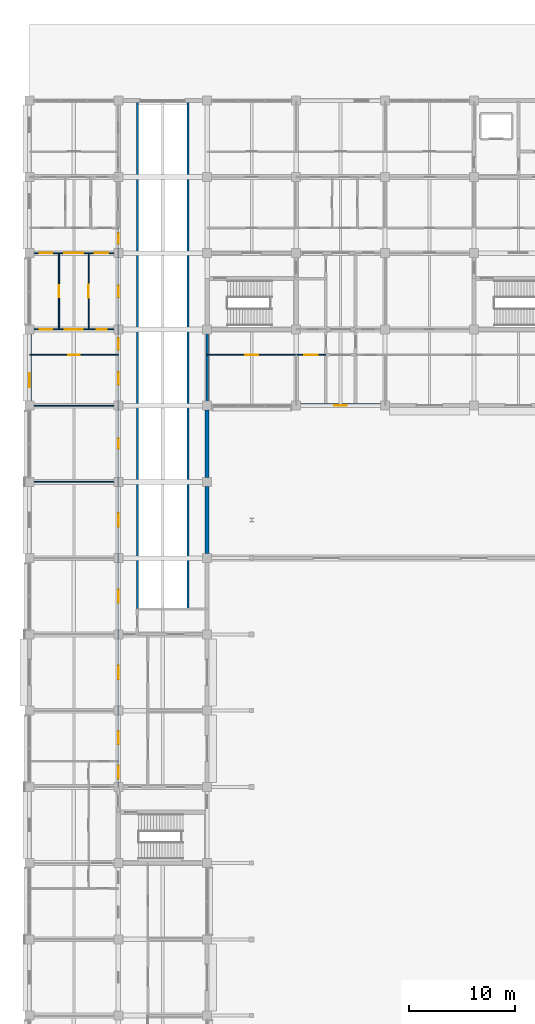
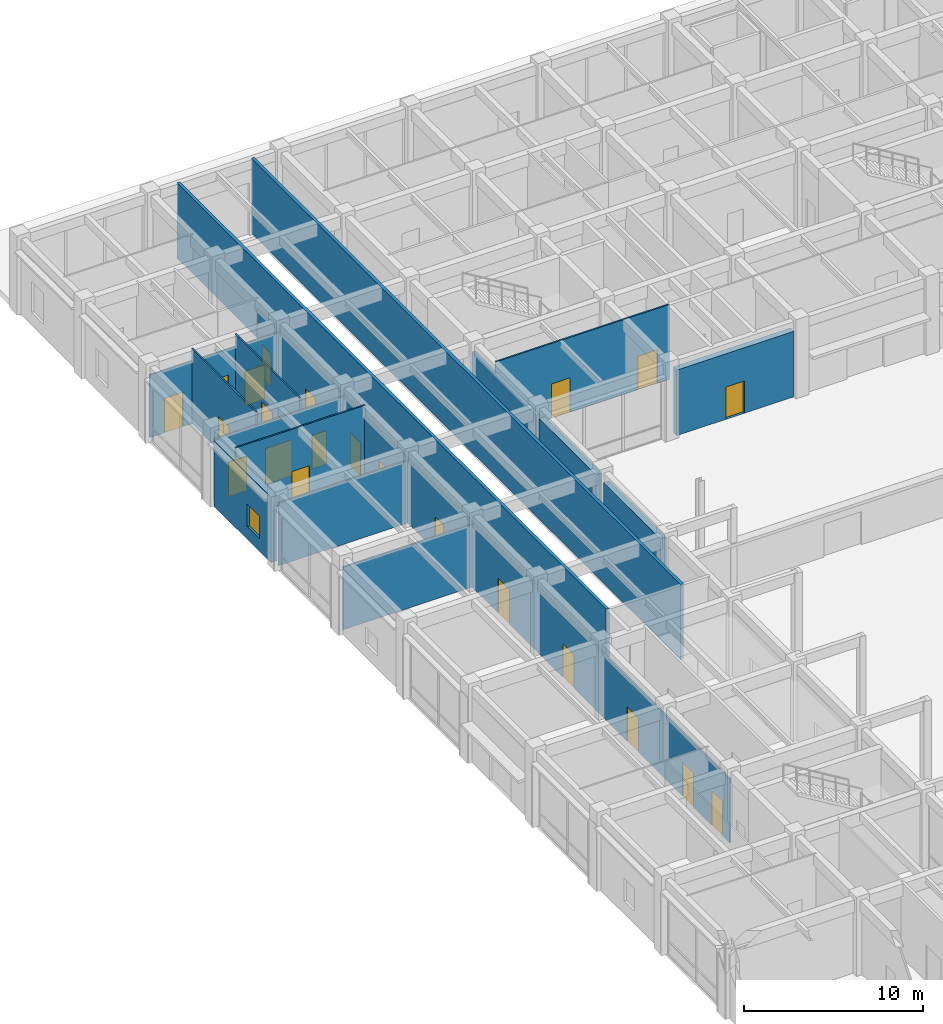
# One storey, part 40 of 73: 22 doors, 16 walls, 1 window, 23 openings.
"""IFC4 building model written with IfcOpenShell, lengths in metres."""

from ifc_helpers import new_model, si_unit, direction, frame, frame_2d, origin, place, context, subcontext, project, spatial, rectangle, extrude, material, layer, layer_set, type_object, element, fill, save


model = new_model("IFC4")

# Units and contexts
model_context = context("Model", 3, precision=1e-05, world=origin(), true_north=direction((0.0, 1.0)))
body_context = subcontext(model_context, "Body", "Model", "MODEL_VIEW")
ifc_project = project(units=[si_unit("LENGTHUNIT", "METRE"), si_unit("AREAUNIT", "SQUARE_METRE"), si_unit("VOLUMEUNIT", "CUBIC_METRE"), si_unit("PLANEANGLEUNIT", "RADIAN"), si_unit("MASSUNIT", "GRAM", prefix="KILO")], contexts=[model_context])

# Site, building, storey
site_placement = place(None, origin())
site = spatial("IfcSite", under=ifc_project, at=site_placement, CompositionType="ELEMENT")
building_placement = place(site_placement, origin())
building = spatial("IfcBuilding", under=site, at=building_placement, Name="Chengyuan Square Courthouse", CompositionType="ELEMENT")
storey_placement = place(building_placement, origin())
storey = spatial("IfcBuildingStorey", under=building, at=storey_placement, Name="L01", CompositionType="ELEMENT", Elevation=0.0)

# Wall, opening, window
ifc_material_1 = material(Name="Concrete C40", Category="concrete")
ifc_layer_1 = layer(ifc_material_1, 0.3798828125)
ifc_layer_set_1 = layer_set([ifc_layer_1], Name="Concrete C40")
wall_type_1 = type_object("IfcWallType", Name="WL-EW1", PredefinedType="STANDARD", material=ifc_layer_set_1)
wall_1_placement = place(storey_placement, frame((0.0, 79.6201171875, 0.0), z_axis=(0.0, 0.0, 1.0), x_axis=(0.0, 1.0, 0.0)))
wall_1 = element("IfcWall", 1, at=wall_1_placement, inside=storey, type_object=wall_type_1, Name="Exterior Wall WL-L01-E150", PredefinedType="STANDARD", context=body_context, shape_type="SweptSolid", body=[
    extrude(rectangle(XDim=6.35986328125, YDim=0.3798828125, at=frame_2d((3.179931640625, 0.0))), origin(), (0.0, 0.0, 1.0), 4.469970703125),
])
opening_1_placement = place(wall_1_placement, frame((1.304931640625, 0.0, 0.85009765625)))
opening_1 = element("IfcOpeningElement", 2, at=opening_1_placement, cuts=wall_1, Name="Opening WN-004", PredefinedType="OPENING", context=body_context, shape_type="SweptSolid", body=[
    extrude(rectangle(XDim=1.35009765625, YDim=1.56005859375, at=frame_2d((0.675048828125, 0.780029296875))), frame((0.0, 0.201904296875, 0.0), z_axis=(0.0, -1.0, 0.0), x_axis=(1.0, 0.0, 0.0)), (0.0, 0.0, 1.0), 0.40380859375),
])
ifc_material_2 = material(Name="Thermally Broken Aluminium Triple Low-E Window", Category="aluminium")
window_type = type_object("IfcWindowType", Name="WT-21", PartitioningType="SINGLE_PANEL", PredefinedType="WINDOW", material=ifc_material_2)
window_placement = place(opening_1_placement, origin())
window = element("IfcWindow", 3, at=window_placement, inside=storey, type_object=window_type, Name="Facade Window WN-004", OverallHeight=1.56005859375, OverallWidth=1.35009765625, PartitioningType="SINGLE_PANEL", PredefinedType="WINDOW", context=body_context, shape_type="SweptSolid", body=[
    extrude(rectangle(XDim=1.35009765625, YDim=1.56005859375, at=frame_2d((0.675048828125, 0.780029296875))), frame((0.0, 0.030029296875, 0.0), z_axis=(0.0, -1.0, 0.0), x_axis=(1.0, 0.0, 0.0)), (0.0, 0.0, 1.0), 0.06005859375),
])
fill(opening_1, window)

# Walls
for number, where, z_axis, x_axis, name in (
    (4, (16.800048828125, 65.219970703125, 0.0), (0.0, 0.0, 1.0), (0.0, 1.0, 0.0), "Exterior Wall WL-L01-E159"),
    (5, (16.800048828125, 72.419921875, 0.0), (0.0, 0.0, 1.0), (0.0, 1.0, 0.0), "Exterior Wall WL-L01-E160"),
):
    element("IfcWall", number, at=place(storey_placement, frame(where, z_axis=z_axis, x_axis=x_axis)), inside=storey, type_object=wall_type_1, Name=name, PredefinedType="STANDARD", context=body_context, shape_type="SweptSolid", body=[
        extrude(rectangle(XDim=6.360107421875, YDim=0.3798828125, at=frame_2d((3.18017578125, 0.0))), origin(), (0.0, 0.0, 1.0), 4.469970703125),
    ])

# Wall, opening, door
wall_2_placement = place(storey_placement, frame((25.6201171875, 79.199951171875, 0.0), z_axis=(0.0, 0.0, 1.0), x_axis=(1.0, 0.0, 0.0)))
wall_2 = element("IfcWall", 6, at=wall_2_placement, inside=storey, type_object=wall_type_1, Name="Exterior Wall WL-L01-E162", PredefinedType="STANDARD", context=body_context, shape_type="SweptSolid", body=[
    extrude(rectangle(XDim=7.559814453125, YDim=0.3798828125, at=frame_2d((3.77978515625, 0.0))), origin(), (0.0, 0.0, 1.0), 4.469970703125),
])
opening_2_placement = place(wall_2_placement, frame((3.179931640625, 0.0, 0.0)))
opening_2 = element("IfcOpeningElement", 7, at=opening_2_placement, cuts=wall_2, Name="Opening E-25", PredefinedType="OPENING", context=body_context, shape_type="SweptSolid", body=[
    extrude(rectangle(XDim=1.199951171875, YDim=2.199951171875, at=frame_2d((0.60009765625, 1.10009765625))), frame((0.0, 0.201904296875, 0.0), z_axis=(0.0, -1.0, 0.0), x_axis=(1.0, 0.0, 0.0)), (0.0, 0.0, 1.0), 0.40380859375),
])
ifc_material_3 = material(Name="Steel Q235B Fire Exit Door", Category="steel")
door_type_1 = type_object("IfcDoorType", Name="DT-03", OperationType="NOTDEFINED", PredefinedType="DOOR", material=ifc_material_3)
door_1_placement = place(opening_2_placement, frame((1.199951171875, 0.0, 0.0), z_axis=(0.0, 0.0, 1.0), x_axis=(-1.0, 0.0, 0.0)))
door_1 = element("IfcDoor", 8, at=door_1_placement, inside=storey, type_object=door_type_1, Name="Protected Stair Exit Discharge Door E-25", OperationType="SINGLE_SWING_RIGHT", OverallHeight=2.199951171875, OverallWidth=1.199951171875, PredefinedType="DOOR", context=body_context, shape_type="SweptSolid", body=[
    extrude(rectangle(XDim=1.199951171875, YDim=2.199951171875, at=frame_2d((0.60009765625, 1.10009765625))), frame((0.0, 0.02490234375, 0.0), z_axis=(0.0, -1.0, 0.0), x_axis=(1.0, 0.0, 0.0)), (0.0, 0.0, 1.0), 0.050048828125),
])
fill(opening_2, door_1)

# Walls
ifc_material_4 = material(Name="Gypsum Plasterboard Acoustic Stud Partition")
ifc_layer_2 = layer(ifc_material_4, 0.10009765625)
ifc_layer_set_2 = layer_set([ifc_layer_2], Name="Gypsum Plasterboard Acoustic Stud Partition")
wall_type_2 = type_object("IfcWallType", Name="WL-PT6", PredefinedType="STANDARD", material=ifc_layer_set_2)
for number, where, z_axis, x_axis, name in (
    (9, (0.0400390625, 72.0, 0.0), (0.0, 0.0, 1.0), (1.0, 0.0, 0.0), "Interior Wall WL-L01-I664"),
    (10, (0.0400390625, 79.199951171875, 0.0), (0.0, 0.0, 1.0), (1.0, 0.0, 0.0), "Interior Wall WL-L01-I667"),
):
    element("IfcWall", number, at=place(storey_placement, frame(where, z_axis=z_axis, x_axis=x_axis)), inside=storey, type_object=wall_type_2, Name=name, PredefinedType="STANDARD", context=body_context, shape_type="SweptSolid", body=[
        extrude(rectangle(XDim=8.35986328125, YDim=0.10009765625, at=frame_2d((4.179931640625, 0.0))), origin(), (0.0, 0.0, 1.0), 4.27001953125),
    ])

# Wall, opening, door
wall_3_placement = place(storey_placement, frame((0.0400390625, 84.0, 0.0), z_axis=(0.0, 0.0, 1.0), x_axis=(1.0, 0.0, 0.0)))
wall_3 = element("IfcWall", 11, at=wall_3_placement, inside=storey, type_object=wall_type_2, Name="Interior Wall WL-L01-I670", PredefinedType="STANDARD", context=body_context, shape_type="SweptSolid", body=[
    extrude(rectangle(XDim=8.35986328125, YDim=0.10009765625, at=frame_2d((4.179931640625, 0.0))), origin(), (0.0, 0.0, 1.0), 5.1201171875),
])
opening_3_placement = place(wall_3_placement, frame((3.6201171875, 0.0, 0.0)))
opening_3 = element("IfcOpeningElement", 12, at=opening_3_placement, cuts=wall_3, Name="Opening DR-907", PredefinedType="OPENING", context=body_context, shape_type="SweptSolid", body=[
    extrude(rectangle(XDim=1.1201171875, YDim=2.25, at=frame_2d((0.56005859375, 1.125))), frame((0.0, 0.06201171875, 0.0), z_axis=(0.0, -1.0, 0.0), x_axis=(1.0, 0.0, 0.0)), (0.0, 0.0, 1.0), 0.1240234375),
])
ifc_material_5 = material(Name="Acoustic Solid-Core Timber Door", Category="wood")
door_type_2 = type_object("IfcDoorType", Name="DT-34", OperationType="NOTDEFINED", PredefinedType="DOOR", material=ifc_material_5)
door_2_placement = place(opening_3_placement, origin())
door_2 = element("IfcDoor", 13, at=door_2_placement, inside=storey, type_object=door_type_2, Name="Interior Door DR-907", OperationType="SINGLE_SWING_RIGHT", OverallHeight=2.25, OverallWidth=1.1201171875, PredefinedType="DOOR", context=body_context, shape_type="SweptSolid", body=[
    extrude(rectangle(XDim=1.1201171875, YDim=2.25, at=frame_2d((0.56005859375, 1.125))), frame((0.0, 0.02490234375, 0.0), z_axis=(0.0, -1.0, 0.0), x_axis=(1.0, 0.0, 0.0)), (0.0, 0.0, 1.0), 0.050048828125),
])
fill(opening_3, door_2)

# Wall, openings, doors
wall_4_placement = place(storey_placement, frame((16.800048828125, 84.0, 0.0), z_axis=(0.0, 0.0, 1.0), x_axis=(1.0, 0.0, 0.0)))
wall_4 = element("IfcWall", 14, at=wall_4_placement, inside=storey, type_object=wall_type_2, Name="Interior Wall WL-L01-I671", PredefinedType="STANDARD", context=body_context, shape_type="SweptSolid", body=[
    extrude(rectangle(XDim=11.199951171875, YDim=0.10009765625, at=frame_2d((5.60009765625, 0.0))), origin(), (0.0, 0.0, 1.0), 5.1201171875),
])
opening_4_placement = place(wall_4_placement, frame((3.60009765625, 0.0, 0.0)))
opening_4 = element("IfcOpeningElement", 15, at=opening_4_placement, cuts=wall_4, Name="Opening DR-909", PredefinedType="OPENING", context=body_context, shape_type="SweptSolid", body=[
    extrude(rectangle(XDim=1.199951171875, YDim=2.35009765625, at=frame_2d((0.60009765625, 1.175048828125))), frame((0.0, 0.06201171875, 0.0), z_axis=(0.0, -1.0, 0.0), x_axis=(1.0, 0.0, 0.0)), (0.0, 0.0, 1.0), 0.1240234375),
])
opening_5_placement = place(wall_4_placement, frame((9.179931640625, 0.0, 0.0)))
opening_5 = element("IfcOpeningElement", 16, at=opening_5_placement, cuts=wall_4, Name="Opening DR-910", PredefinedType="OPENING", context=body_context, shape_type="SweptSolid", body=[
    extrude(rectangle(XDim=1.239990234375, YDim=2.300048828125, at=frame_2d((0.6201171875, 1.14990234375))), frame((0.0, 0.06201171875, 0.0), z_axis=(0.0, -1.0, 0.0), x_axis=(1.0, 0.0, 0.0)), (0.0, 0.0, 1.0), 0.1240234375),
])
door_type_3 = type_object("IfcDoorType", Name="DT-36", OperationType="NOTDEFINED", PredefinedType="DOOR", material=ifc_material_5)
door_3_placement = place(opening_4_placement, origin())
door_3 = element("IfcDoor", 17, at=door_3_placement, inside=storey, type_object=door_type_3, Name="Interior Door DR-909", OperationType="SINGLE_SWING_RIGHT", OverallHeight=2.35009765625, OverallWidth=1.199951171875, PredefinedType="DOOR", context=body_context, shape_type="SweptSolid", body=[
    extrude(rectangle(XDim=1.199951171875, YDim=2.35009765625, at=frame_2d((0.60009765625, 1.175048828125))), frame((0.0, 0.02490234375, 0.0), z_axis=(0.0, -1.0, 0.0), x_axis=(1.0, 0.0, 0.0)), (0.0, 0.0, 1.0), 0.050048828125),
])
fill(opening_4, door_3)
door_type_4 = type_object("IfcDoorType", Name="DT-37", OperationType="NOTDEFINED", PredefinedType="DOOR", material=ifc_material_5)
door_4_placement = place(opening_5_placement, origin())
door_4 = element("IfcDoor", 18, at=door_4_placement, inside=storey, type_object=door_type_4, Name="Interior Door DR-910", OperationType="SINGLE_SWING_LEFT", OverallHeight=2.300048828125, OverallWidth=1.239990234375, PredefinedType="DOOR", context=body_context, shape_type="SweptSolid", body=[
    extrude(rectangle(XDim=1.239990234375, YDim=2.300048828125, at=frame_2d((0.6201171875, 1.14990234375))), frame((0.0, 0.02490234375, 0.0), z_axis=(0.0, -1.0, 0.0), x_axis=(1.0, 0.0, 0.0)), (0.0, 0.0, 1.0), 0.050048828125),
])
fill(opening_5, door_4)

wall_5_placement = place(storey_placement, frame((0.0400390625, 86.39990234375, 0.0), z_axis=(0.0, 0.0, 1.0), x_axis=(1.0, 0.0, 0.0)))
wall_5 = element("IfcWall", 19, at=wall_5_placement, inside=storey, type_object=wall_type_2, Name="Interior Wall WL-L01-I680", PredefinedType="STANDARD", context=body_context, shape_type="SweptSolid", body=[
    extrude(rectangle(XDim=8.35986328125, YDim=0.10009765625, at=frame_2d((4.179931640625, 0.0))), origin(), (0.0, 0.0, 1.0), 4.27001953125),
])
opening_6_placement = place(wall_5_placement, frame((0.9326171875, 0.0, 0.0)))
opening_6 = element("IfcOpeningElement", 20, at=opening_6_placement, cuts=wall_5, Name="Opening DR-858", PredefinedType="OPENING", context=body_context, shape_type="SweptSolid", body=[
    extrude(rectangle(XDim=1.199951171875, YDim=2.35009765625, at=frame_2d((0.60009765625, 1.175048828125))), frame((0.0, 0.06201171875, 0.0), z_axis=(0.0, -1.0, 0.0), x_axis=(1.0, 0.0, 0.0)), (0.0, 0.0, 1.0), 0.1240234375),
])
opening_7_placement = place(wall_5_placement, frame((3.31005859375, 0.0, 0.0)))
opening_7 = element("IfcOpeningElement", 21, at=opening_7_placement, cuts=wall_5, Name="Opening DR-860", PredefinedType="OPENING", context=body_context, shape_type="SweptSolid", body=[
    extrude(rectangle(XDim=1.699951171875, YDim=2.449951171875, at=frame_2d((0.85009765625, 1.22509765625))), frame((0.0, 0.06201171875, 0.0), z_axis=(0.0, -1.0, 0.0), x_axis=(1.0, 0.0, 0.0)), (0.0, 0.0, 1.0), 0.1240234375),
])
opening_8_placement = place(wall_5_placement, frame((6.3173828125, 0.0, 0.0)))
opening_8 = element("IfcOpeningElement", 22, at=opening_8_placement, cuts=wall_5, Name="Opening DR-861", PredefinedType="OPENING", context=body_context, shape_type="SweptSolid", body=[
    extrude(rectangle(XDim=0.93994140625, YDim=2.300048828125, at=frame_2d((0.469970703125, 1.14990234375))), frame((0.0, 0.06201171875, 0.0), z_axis=(0.0, -1.0, 0.0), x_axis=(1.0, 0.0, 0.0)), (0.0, 0.0, 1.0), 0.1240234375),
])
ifc_material_6 = material(Name="Acoustic Larch Veneer Double Door")
door_type_5 = type_object("IfcDoorType", Name="DT-24", OperationType="DOUBLE_DOOR_SINGLE_SWING", PredefinedType="DOOR", material=ifc_material_6)
door_5_placement = place(opening_7_placement, frame((1.699951171875, 0.0, 0.0), z_axis=(0.0, 0.0, 1.0), x_axis=(-1.0, 0.0, 0.0)))
door_5 = element("IfcDoor", 23, at=door_5_placement, inside=storey, type_object=door_type_5, Name="Interior Door DR-860", OperationType="DOUBLE_DOOR_SINGLE_SWING", OverallHeight=2.449951171875, OverallWidth=1.699951171875, PredefinedType="DOOR", context=body_context, shape_type="SweptSolid", body=[
    extrude(rectangle(XDim=1.699951171875, YDim=2.449951171875, at=frame_2d((0.85009765625, 1.22509765625))), frame((0.0, 0.02490234375, 0.0), z_axis=(0.0, -1.0, 0.0), x_axis=(1.0, 0.0, 0.0)), (0.0, 0.0, 1.0), 0.050048828125),
])
fill(opening_7, door_5)
door_6_placement = place(opening_6_placement, origin())
door_6 = element("IfcDoor", 24, at=door_6_placement, inside=storey, type_object=door_type_3, Name="Interior Door DR-858", OperationType="SINGLE_SWING_LEFT", OverallHeight=2.35009765625, OverallWidth=1.199951171875, PredefinedType="DOOR", context=body_context, shape_type="SweptSolid", body=[
    extrude(rectangle(XDim=1.199951171875, YDim=2.35009765625, at=frame_2d((0.60009765625, 1.175048828125))), frame((0.0, 0.02490234375, 0.0), z_axis=(0.0, -1.0, 0.0), x_axis=(1.0, 0.0, 0.0)), (0.0, 0.0, 1.0), 0.050048828125),
])
fill(opening_6, door_6)
door_type_6 = type_object("IfcDoorType", Name="DT-39", OperationType="NOTDEFINED", PredefinedType="DOOR", material=ifc_material_5)
door_7_placement = place(opening_8_placement, origin())
door_7 = element("IfcDoor", 25, at=door_7_placement, inside=storey, type_object=door_type_6, Name="Interior Door DR-861", OperationType="SINGLE_SWING_LEFT", OverallHeight=2.300048828125, OverallWidth=0.93994140625, PredefinedType="DOOR", context=body_context, shape_type="SweptSolid", body=[
    extrude(rectangle(XDim=0.93994140625, YDim=2.300048828125, at=frame_2d((0.469970703125, 1.14990234375))), frame((0.0, 0.02490234375, 0.0), z_axis=(0.0, -1.0, 0.0), x_axis=(1.0, 0.0, 0.0)), (0.0, 0.0, 1.0), 0.050048828125),
])
fill(opening_8, door_7)

wall_6_placement = place(storey_placement, frame((0.0400390625, 93.60009765625, 0.0), z_axis=(0.0, 0.0, 1.0), x_axis=(1.0, 0.0, 0.0)))
wall_6 = element("IfcWall", 26, at=wall_6_placement, inside=storey, type_object=wall_type_2, Name="Interior Wall WL-L01-I725", PredefinedType="STANDARD", context=body_context, shape_type="SweptSolid", body=[
    extrude(rectangle(XDim=8.35986328125, YDim=0.10009765625, at=frame_2d((4.179931640625, 0.0))), origin(), (0.0, 0.0, 1.0), 4.27001953125),
])
opening_9_placement = place(wall_6_placement, frame((0.9326171875, 0.0, 0.0)))
opening_9 = element("IfcOpeningElement", 27, at=opening_9_placement, cuts=wall_6, Name="Opening DR-790", PredefinedType="OPENING", context=body_context, shape_type="SweptSolid", body=[
    extrude(rectangle(XDim=1.199951171875, YDim=2.35009765625, at=frame_2d((0.60009765625, 1.175048828125))), frame((0.0, 0.06201171875, 0.0), z_axis=(0.0, -1.0, 0.0), x_axis=(1.0, 0.0, 0.0)), (0.0, 0.0, 1.0), 0.1240234375),
])
opening_10_placement = place(wall_6_placement, frame((3.260009765625, 0.0, 0.0)))
opening_10 = element("IfcOpeningElement", 28, at=opening_10_placement, cuts=wall_6, Name="Opening DR-791", PredefinedType="OPENING", context=body_context, shape_type="SweptSolid", body=[
    extrude(rectangle(XDim=1.800048828125, YDim=2.5, at=frame_2d((0.89990234375, 1.25))), frame((0.0, 0.06201171875, 0.0), z_axis=(0.0, -1.0, 0.0), x_axis=(1.0, 0.0, 0.0)), (0.0, 0.0, 1.0), 0.1240234375),
])
opening_11_placement = place(wall_6_placement, frame((6.1474609375, 0.0, 0.0)))
opening_11 = element("IfcOpeningElement", 29, at=opening_11_placement, cuts=wall_6, Name="Opening DR-792", PredefinedType="OPENING", context=body_context, shape_type="SweptSolid", body=[
    extrude(rectangle(XDim=1.280029296875, YDim=2.35009765625, at=frame_2d((0.64013671875, 1.175048828125))), frame((0.0, 0.06201171875, 0.0), z_axis=(0.0, -1.0, 0.0), x_axis=(1.0, 0.0, 0.0)), (0.0, 0.0, 1.0), 0.1240234375),
])
door_type_7 = type_object("IfcDoorType", Name="DT-21", OperationType="DOUBLE_DOOR_SINGLE_SWING", PredefinedType="DOOR", material=ifc_material_6)
door_8_placement = place(opening_10_placement, frame((1.800048828125, 0.0, 0.0), z_axis=(0.0, 0.0, 1.0), x_axis=(-1.0, 0.0, 0.0)))
door_8 = element("IfcDoor", 30, at=door_8_placement, inside=storey, type_object=door_type_7, Name="Interior Door DR-791", OperationType="DOUBLE_DOOR_SINGLE_SWING", OverallHeight=2.5, OverallWidth=1.800048828125, PredefinedType="DOOR", context=body_context, shape_type="SweptSolid", body=[
    extrude(rectangle(XDim=1.800048828125, YDim=2.5, at=frame_2d((0.89990234375, 1.25))), frame((0.0, 0.02490234375, 0.0), z_axis=(0.0, -1.0, 0.0), x_axis=(1.0, 0.0, 0.0)), (0.0, 0.0, 1.0), 0.050048828125),
])
fill(opening_10, door_8)
door_9_placement = place(opening_9_placement, origin())
door_9 = element("IfcDoor", 31, at=door_9_placement, inside=storey, type_object=door_type_3, Name="Interior Door DR-790", OperationType="SINGLE_SWING_LEFT", OverallHeight=2.35009765625, OverallWidth=1.199951171875, PredefinedType="DOOR", context=body_context, shape_type="SweptSolid", body=[
    extrude(rectangle(XDim=1.199951171875, YDim=2.35009765625, at=frame_2d((0.60009765625, 1.175048828125))), frame((0.0, 0.02490234375, 0.0), z_axis=(0.0, -1.0, 0.0), x_axis=(1.0, 0.0, 0.0)), (0.0, 0.0, 1.0), 0.050048828125),
])
fill(opening_9, door_9)
door_type_8 = type_object("IfcDoorType", Name="DT-38", OperationType="NOTDEFINED", PredefinedType="DOOR", material=ifc_material_5)
door_10_placement = place(opening_11_placement, origin())
door_10 = element("IfcDoor", 32, at=door_10_placement, inside=storey, type_object=door_type_8, Name="Interior Door DR-792", OperationType="SINGLE_SWING_RIGHT", OverallHeight=2.35009765625, OverallWidth=1.280029296875, PredefinedType="DOOR", context=body_context, shape_type="SweptSolid", body=[
    extrude(rectangle(XDim=1.280029296875, YDim=2.35009765625, at=frame_2d((0.64013671875, 1.175048828125))), frame((0.0, 0.02490234375, 0.0), z_axis=(0.0, -1.0, 0.0), x_axis=(1.0, 0.0, 0.0)), (0.0, 0.0, 1.0), 0.050048828125),
])
fill(opening_11, door_10)

# Wall, opening, door
wall_7_placement = place(storey_placement, frame((2.800048828125, 86.39990234375, 0.0), z_axis=(0.0, 0.0, 1.0), x_axis=(0.0, 1.0, 0.0)))
wall_7 = element("IfcWall", 33, at=wall_7_placement, inside=storey, type_object=wall_type_2, Name="Interior Wall WL-L01-I820", PredefinedType="STANDARD", context=body_context, shape_type="SweptSolid", body=[
    extrude(rectangle(XDim=7.2001953125, YDim=0.10009765625, at=frame_2d((3.60009765625, 0.0))), origin(), (0.0, 0.0, 1.0), 5.1201171875),
])
opening_12_placement = place(wall_7_placement, frame((3.02001953125, 0.0, 0.0)))
opening_12 = element("IfcOpeningElement", 34, at=opening_12_placement, cuts=wall_7, Name="Opening DR-857", PredefinedType="OPENING", context=body_context, shape_type="SweptSolid", body=[
    extrude(rectangle(XDim=1.159912109375, YDim=2.300048828125, at=frame_2d((0.580078125, 1.14990234375))), frame((0.0, 0.06201171875, 0.0), z_axis=(0.0, -1.0, 0.0), x_axis=(1.0, 0.0, 0.0)), (0.0, 0.0, 1.0), 0.1240234375),
])
door_type_9 = type_object("IfcDoorType", Name="DT-35", OperationType="NOTDEFINED", PredefinedType="DOOR", material=ifc_material_5)
door_11_placement = place(opening_12_placement, origin())
door_11 = element("IfcDoor", 35, at=door_11_placement, inside=storey, type_object=door_type_9, Name="Interior Door DR-857", OperationType="SINGLE_SWING_RIGHT", OverallHeight=2.300048828125, OverallWidth=1.159912109375, PredefinedType="DOOR", context=body_context, shape_type="SweptSolid", body=[
    extrude(rectangle(XDim=1.159912109375, YDim=2.300048828125, at=frame_2d((0.580078125, 1.14990234375))), frame((0.0, 0.02490234375, 0.0), z_axis=(0.0, -1.0, 0.0), x_axis=(1.0, 0.0, 0.0)), (0.0, 0.0, 1.0), 0.050048828125),
])
fill(opening_12, door_11)

wall_8_placement = place(storey_placement, frame((5.60009765625, 86.39990234375, 0.0), z_axis=(0.0, 0.0, 1.0), x_axis=(0.0, 1.0, 0.0)))
wall_8 = element("IfcWall", 36, at=wall_8_placement, inside=storey, type_object=wall_type_2, Name="Interior Wall WL-L01-I823", PredefinedType="STANDARD", context=body_context, shape_type="SweptSolid", body=[
    extrude(rectangle(XDim=7.2001953125, YDim=0.10009765625, at=frame_2d((3.60009765625, 0.0))), origin(), (0.0, 0.0, 1.0), 5.1201171875),
])
opening_13_placement = place(wall_8_placement, frame((2.97998046875, 0.0, 0.0)))
opening_13 = element("IfcOpeningElement", 37, at=opening_13_placement, cuts=wall_8, Name="Opening DR-859", PredefinedType="OPENING", context=body_context, shape_type="SweptSolid", body=[
    extrude(rectangle(XDim=1.239990234375, YDim=2.300048828125, at=frame_2d((0.6201171875, 1.14990234375))), frame((0.0, 0.06201171875, 0.0), z_axis=(0.0, -1.0, 0.0), x_axis=(1.0, 0.0, 0.0)), (0.0, 0.0, 1.0), 0.1240234375),
])
door_12_placement = place(opening_13_placement, origin())
door_12 = element("IfcDoor", 38, at=door_12_placement, inside=storey, type_object=door_type_4, Name="Interior Door DR-859", OperationType="SINGLE_SWING_RIGHT", OverallHeight=2.300048828125, OverallWidth=1.239990234375, PredefinedType="DOOR", context=body_context, shape_type="SweptSolid", body=[
    extrude(rectangle(XDim=1.239990234375, YDim=2.300048828125, at=frame_2d((0.6201171875, 1.14990234375))), frame((0.0, 0.02490234375, 0.0), z_axis=(0.0, -1.0, 0.0), x_axis=(1.0, 0.0, 0.0)), (0.0, 0.0, 1.0), 0.050048828125),
])
fill(opening_13, door_12)

# Wall, openings, doors
wall_9_placement = place(storey_placement, frame((8.39990234375, 43.199951171875, 0.0), z_axis=(0.0, 0.0, 1.0), x_axis=(0.0, 1.0, 0.0)))
wall_9 = element("IfcWall", 39, at=wall_9_placement, inside=storey, type_object=wall_type_2, Name="Interior Wall WL-L01-I828", PredefinedType="STANDARD", context=body_context, shape_type="SweptSolid", body=[
    extrude(rectangle(XDim=52.800048828125, YDim=0.10009765625, at=frame_2d((26.39990234375, 0.0))), origin(), (0.0, 0.0, 1.0), 4.3701171875),
])
opening_14_placement = place(wall_9_placement, frame((51.2724609375, 0.0, 0.0)))
opening_14 = element("IfcOpeningElement", 40, at=opening_14_placement, cuts=wall_9, Name="Opening DR-700", PredefinedType="OPENING", context=body_context, shape_type="SweptSolid", body=[
    extrude(rectangle(XDim=1.0, YDim=2.25, at=frame_2d((0.5, 1.125))), frame((0.0, 0.06201171875, 0.0), z_axis=(0.0, -1.0, 0.0), x_axis=(1.0, 0.0, 0.0)), (0.0, 0.0, 1.0), 0.1240234375),
])
opening_15_placement = place(wall_9_placement, frame((46.260009765625, 0.0, 0.0)))
opening_15 = element("IfcOpeningElement", 41, at=opening_15_placement, cuts=wall_9, Name="Opening DR-702", PredefinedType="OPENING", context=body_context, shape_type="SweptSolid", body=[
    extrude(rectangle(XDim=1.080078125, YDim=2.25, at=frame_2d((0.5400390625, 1.125))), frame((0.0, 0.06201171875, 0.0), z_axis=(0.0, -1.0, 0.0), x_axis=(1.0, 0.0, 0.0)), (0.0, 0.0, 1.0), 0.1240234375),
])
opening_16_placement = place(wall_9_placement, frame((41.267578125, 0.0, 0.0)))
opening_16 = element("IfcOpeningElement", 42, at=opening_16_placement, cuts=wall_9, Name="Opening DR-703", PredefinedType="OPENING", context=body_context, shape_type="SweptSolid", body=[
    extrude(rectangle(XDim=1.1201171875, YDim=2.25, at=frame_2d((0.56005859375, 1.125))), frame((0.0, 0.06201171875, 0.0), z_axis=(0.0, -1.0, 0.0), x_axis=(1.0, 0.0, 0.0)), (0.0, 0.0, 1.0), 0.1240234375),
])
opening_17_placement = place(wall_9_placement, frame((37.992431640625, 0.0, 0.0)))
opening_17 = element("IfcOpeningElement", 43, at=opening_17_placement, cuts=wall_9, Name="Opening DR-704", PredefinedType="OPENING", context=body_context, shape_type="SweptSolid", body=[
    extrude(rectangle(XDim=1.159912109375, YDim=2.300048828125, at=frame_2d((0.580078125, 1.14990234375))), frame((0.0, 0.06201171875, 0.0), z_axis=(0.0, -1.0, 0.0), x_axis=(1.0, 0.0, 0.0)), (0.0, 0.0, 1.0), 0.1240234375),
])
opening_18_placement = place(wall_9_placement, frame((17.3798828125, 0.0, 0.0)))
opening_18 = element("IfcOpeningElement", 44, at=opening_18_placement, cuts=wall_9, Name="Opening DR-706", PredefinedType="OPENING", context=body_context, shape_type="SweptSolid", body=[
    extrude(rectangle(XDim=1.239990234375, YDim=2.300048828125, at=frame_2d((0.6201171875, 1.14990234375))), frame((0.0, 0.06201171875, 0.0), z_axis=(0.0, -1.0, 0.0), x_axis=(1.0, 0.0, 0.0)), (0.0, 0.0, 1.0), 0.1240234375),
])
opening_19_placement = place(wall_9_placement, frame((24.56005859375, 0.0, 0.0)))
opening_19 = element("IfcOpeningElement", 45, at=opening_19_placement, cuts=wall_9, Name="Opening DR-707", PredefinedType="OPENING", context=body_context, shape_type="SweptSolid", body=[
    extrude(rectangle(XDim=1.280029296875, YDim=2.35009765625, at=frame_2d((0.64013671875, 1.175048828125))), frame((0.0, 0.06201171875, 0.0), z_axis=(0.0, -1.0, 0.0), x_axis=(1.0, 0.0, 0.0)), (0.0, 0.0, 1.0), 0.1240234375),
])
opening_20_placement = place(wall_9_placement, frame((31.929931640625, 0.0, 0.0)))
opening_20 = element("IfcOpeningElement", 46, at=opening_20_placement, cuts=wall_9, Name="Opening DR-708", PredefinedType="OPENING", context=body_context, shape_type="SweptSolid", body=[
    extrude(rectangle(XDim=0.93994140625, YDim=2.300048828125, at=frame_2d((0.469970703125, 1.14990234375))), frame((0.0, 0.06201171875, 0.0), z_axis=(0.0, -1.0, 0.0), x_axis=(1.0, 0.0, 0.0)), (0.0, 0.0, 1.0), 0.1240234375),
])
opening_21_placement = place(wall_9_placement, frame((0.7724609375, 0.0, 0.0)))
opening_21 = element("IfcOpeningElement", 47, at=opening_21_placement, cuts=wall_9, Name="Opening DR-960", PredefinedType="OPENING", context=body_context, shape_type="SweptSolid", body=[
    extrude(rectangle(XDim=1.199951171875, YDim=2.35009765625, at=frame_2d((0.60009765625, 1.175048828125))), frame((0.0, 0.06201171875, 0.0), z_axis=(0.0, -1.0, 0.0), x_axis=(1.0, 0.0, 0.0)), (0.0, 0.0, 1.0), 0.1240234375),
])
opening_22_placement = place(wall_9_placement, frame((4.007568359375, 0.0, 0.0)))
opening_22 = element("IfcOpeningElement", 48, at=opening_22_placement, cuts=wall_9, Name="Opening DR-961", PredefinedType="OPENING", context=body_context, shape_type="SweptSolid", body=[
    extrude(rectangle(XDim=1.239990234375, YDim=2.300048828125, at=frame_2d((0.6201171875, 1.14990234375))), frame((0.0, 0.06201171875, 0.0), z_axis=(0.0, -1.0, 0.0), x_axis=(1.0, 0.0, 0.0)), (0.0, 0.0, 1.0), 0.1240234375),
])
opening_23_placement = place(wall_9_placement, frame((10.159912109375, 0.0, 0.0)))
opening_23 = element("IfcOpeningElement", 49, at=opening_23_placement, cuts=wall_9, Name="Opening DR-962", PredefinedType="OPENING", context=body_context, shape_type="SweptSolid", body=[
    extrude(rectangle(XDim=1.280029296875, YDim=2.35009765625, at=frame_2d((0.64013671875, 1.175048828125))), frame((0.0, 0.06201171875, 0.0), z_axis=(0.0, -1.0, 0.0), x_axis=(1.0, 0.0, 0.0)), (0.0, 0.0, 1.0), 0.1240234375),
])
door_type_10 = type_object("IfcDoorType", Name="DT-31", OperationType="NOTDEFINED", PredefinedType="DOOR", material=ifc_material_5)
door_13_placement = place(opening_14_placement, origin())
door_13 = element("IfcDoor", 50, at=door_13_placement, inside=storey, type_object=door_type_10, Name="Interior Door DR-700", OperationType="SINGLE_SWING_LEFT", OverallHeight=2.25, OverallWidth=1.0, PredefinedType="DOOR", context=body_context, shape_type="SweptSolid", body=[
    extrude(rectangle(XDim=1.0, YDim=2.25, at=frame_2d((0.5, 1.125))), frame((0.0, 0.02490234375, 0.0), z_axis=(0.0, -1.0, 0.0), x_axis=(1.0, 0.0, 0.0)), (0.0, 0.0, 1.0), 0.050048828125),
])
fill(opening_14, door_13)
door_type_11 = type_object("IfcDoorType", Name="DT-33", OperationType="NOTDEFINED", PredefinedType="DOOR", material=ifc_material_5)
door_14_placement = place(opening_15_placement, origin())
door_14 = element("IfcDoor", 51, at=door_14_placement, inside=storey, type_object=door_type_11, Name="Interior Door DR-702", OperationType="SINGLE_SWING_LEFT", OverallHeight=2.25, OverallWidth=1.080078125, PredefinedType="DOOR", context=body_context, shape_type="SweptSolid", body=[
    extrude(rectangle(XDim=1.080078125, YDim=2.25, at=frame_2d((0.5400390625, 1.125))), frame((0.0, 0.02490234375, 0.0), z_axis=(0.0, -1.0, 0.0), x_axis=(1.0, 0.0, 0.0)), (0.0, 0.0, 1.0), 0.050048828125),
])
fill(opening_15, door_14)
door_15_placement = place(opening_16_placement, origin())
door_15 = element("IfcDoor", 52, at=door_15_placement, inside=storey, type_object=door_type_2, Name="Interior Door DR-703", OperationType="SINGLE_SWING_RIGHT", OverallHeight=2.25, OverallWidth=1.1201171875, PredefinedType="DOOR", context=body_context, shape_type="SweptSolid", body=[
    extrude(rectangle(XDim=1.1201171875, YDim=2.25, at=frame_2d((0.56005859375, 1.125))), frame((0.0, 0.02490234375, 0.0), z_axis=(0.0, -1.0, 0.0), x_axis=(1.0, 0.0, 0.0)), (0.0, 0.0, 1.0), 0.050048828125),
])
fill(opening_16, door_15)
door_16_placement = place(opening_17_placement, origin())
door_16 = element("IfcDoor", 53, at=door_16_placement, inside=storey, type_object=door_type_9, Name="Interior Door DR-704", OperationType="SINGLE_SWING_LEFT", OverallHeight=2.300048828125, OverallWidth=1.159912109375, PredefinedType="DOOR", context=body_context, shape_type="SweptSolid", body=[
    extrude(rectangle(XDim=1.159912109375, YDim=2.300048828125, at=frame_2d((0.580078125, 1.14990234375))), frame((0.0, 0.02490234375, 0.0), z_axis=(0.0, -1.0, 0.0), x_axis=(1.0, 0.0, 0.0)), (0.0, 0.0, 1.0), 0.050048828125),
])
fill(opening_17, door_16)
door_17_placement = place(opening_21_placement, origin())
door_17 = element("IfcDoor", 54, at=door_17_placement, inside=storey, type_object=door_type_3, Name="Interior Door DR-960", OperationType="SINGLE_SWING_RIGHT", OverallHeight=2.35009765625, OverallWidth=1.199951171875, PredefinedType="DOOR", context=body_context, shape_type="SweptSolid", body=[
    extrude(rectangle(XDim=1.199951171875, YDim=2.35009765625, at=frame_2d((0.60009765625, 1.175048828125))), frame((0.0, 0.02490234375, 0.0), z_axis=(0.0, -1.0, 0.0), x_axis=(1.0, 0.0, 0.0)), (0.0, 0.0, 1.0), 0.050048828125),
])
fill(opening_21, door_17)
door_18_placement = place(opening_18_placement, origin())
door_18 = element("IfcDoor", 55, at=door_18_placement, inside=storey, type_object=door_type_4, Name="Interior Door DR-706", OperationType="SINGLE_SWING_LEFT", OverallHeight=2.300048828125, OverallWidth=1.239990234375, PredefinedType="DOOR", context=body_context, shape_type="SweptSolid", body=[
    extrude(rectangle(XDim=1.239990234375, YDim=2.300048828125, at=frame_2d((0.6201171875, 1.14990234375))), frame((0.0, 0.02490234375, 0.0), z_axis=(0.0, -1.0, 0.0), x_axis=(1.0, 0.0, 0.0)), (0.0, 0.0, 1.0), 0.050048828125),
])
fill(opening_18, door_18)
door_19_placement = place(opening_22_placement, origin())
door_19 = element("IfcDoor", 56, at=door_19_placement, inside=storey, type_object=door_type_4, Name="Interior Door DR-961", OperationType="SINGLE_SWING_LEFT", OverallHeight=2.300048828125, OverallWidth=1.239990234375, PredefinedType="DOOR", context=body_context, shape_type="SweptSolid", body=[
    extrude(rectangle(XDim=1.239990234375, YDim=2.300048828125, at=frame_2d((0.6201171875, 1.14990234375))), frame((0.0, 0.02490234375, 0.0), z_axis=(0.0, -1.0, 0.0), x_axis=(1.0, 0.0, 0.0)), (0.0, 0.0, 1.0), 0.050048828125),
])
fill(opening_22, door_19)
door_20_placement = place(opening_19_placement, origin())
door_20 = element("IfcDoor", 57, at=door_20_placement, inside=storey, type_object=door_type_8, Name="Interior Door DR-707", OperationType="SINGLE_SWING_RIGHT", OverallHeight=2.35009765625, OverallWidth=1.280029296875, PredefinedType="DOOR", context=body_context, shape_type="SweptSolid", body=[
    extrude(rectangle(XDim=1.280029296875, YDim=2.35009765625, at=frame_2d((0.64013671875, 1.175048828125))), frame((0.0, 0.02490234375, 0.0), z_axis=(0.0, -1.0, 0.0), x_axis=(1.0, 0.0, 0.0)), (0.0, 0.0, 1.0), 0.050048828125),
])
fill(opening_19, door_20)
door_21_placement = place(opening_23_placement, origin())
door_21 = element("IfcDoor", 58, at=door_21_placement, inside=storey, type_object=door_type_8, Name="Interior Door DR-962", OperationType="SINGLE_SWING_RIGHT", OverallHeight=2.35009765625, OverallWidth=1.280029296875, PredefinedType="DOOR", context=body_context, shape_type="SweptSolid", body=[
    extrude(rectangle(XDim=1.280029296875, YDim=2.35009765625, at=frame_2d((0.64013671875, 1.175048828125))), frame((0.0, 0.02490234375, 0.0), z_axis=(0.0, -1.0, 0.0), x_axis=(1.0, 0.0, 0.0)), (0.0, 0.0, 1.0), 0.050048828125),
])
fill(opening_23, door_21)
door_22_placement = place(opening_20_placement, origin())
door_22 = element("IfcDoor", 59, at=door_22_placement, inside=storey, type_object=door_type_6, Name="Interior Door DR-708", OperationType="SINGLE_SWING_LEFT", OverallHeight=2.300048828125, OverallWidth=0.93994140625, PredefinedType="DOOR", context=body_context, shape_type="SweptSolid", body=[
    extrude(rectangle(XDim=0.93994140625, YDim=2.300048828125, at=frame_2d((0.469970703125, 1.14990234375))), frame((0.0, 0.02490234375, 0.0), z_axis=(0.0, -1.0, 0.0), x_axis=(1.0, 0.0, 0.0)), (0.0, 0.0, 1.0), 0.050048828125),
])
fill(opening_20, door_22)

# Walls
ifc_material_7 = material(Name="Reinforced Masonry Shaft Enclosure", Category="masonry")
ifc_layer_3 = layer(ifc_material_7, 0.199951171875)
ifc_layer_set_3 = layer_set([ifc_layer_3], Name="Reinforced Masonry Shaft Enclosure")
wall_type_3 = type_object("IfcWallType", Name="WL-SH1", PredefinedType="STANDARD", material=ifc_layer_set_3)
for number, where, z_axis, x_axis, name in (
    (60, (10.199951171875, 60.0, 0.0), (0.0, 0.0, 1.0), (0.0, 1.0, 0.0), "Interior Wall WL-L01-I832"),
    (61, (15.0, 60.0, 0.0), (0.0, 0.0, 1.0), (0.0, 1.0, 0.0), "Interior Wall WL-L01-I839"),
):
    element("IfcWall", number, at=place(storey_placement, frame(where, z_axis=z_axis, x_axis=x_axis)), inside=storey, type_object=wall_type_3, Name=name, PredefinedType="STANDARD", context=body_context, shape_type="SweptSolid", body=[
        extrude(rectangle(XDim=47.9599609375, YDim=0.199951171875, at=frame_2d((23.97998046875, 0.0))), origin(), (0.0, 0.0, 1.0), 5.1201171875),
    ])
wall_10_placement = place(storey_placement, frame((16.800048828125, 79.239990234375, 0.0), z_axis=(0.0, 0.0, 1.0), x_axis=(0.0, 1.0, 0.0)))
element("IfcWall", 62, at=wall_10_placement, inside=storey, type_object=wall_type_3, Name="Interior Wall WL-L01-I840", PredefinedType="STANDARD", context=body_context, shape_type="SweptSolid", body=[
    extrude(rectangle(XDim=7.159912109375, YDim=0.199951171875, at=frame_2d((3.580078125, 0.0))), origin(), (0.0, 0.0, 1.0), 4.3701171875),
])

save(model, "model.ifc")
